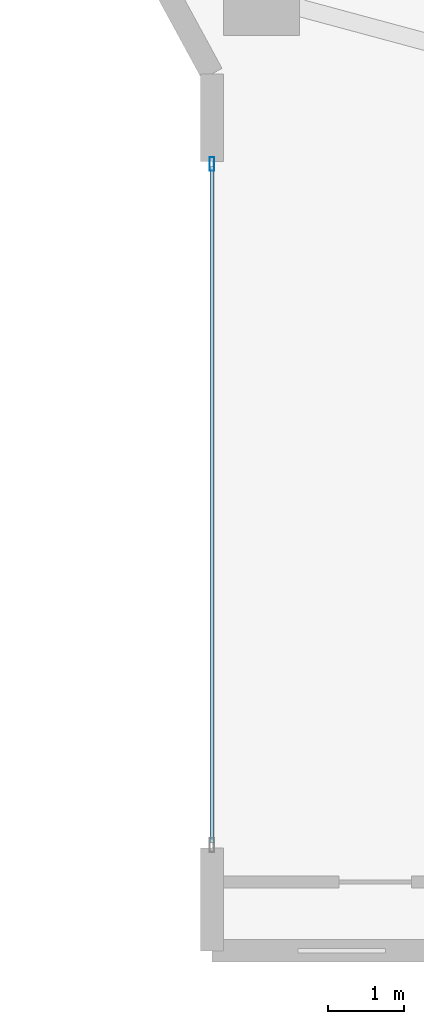
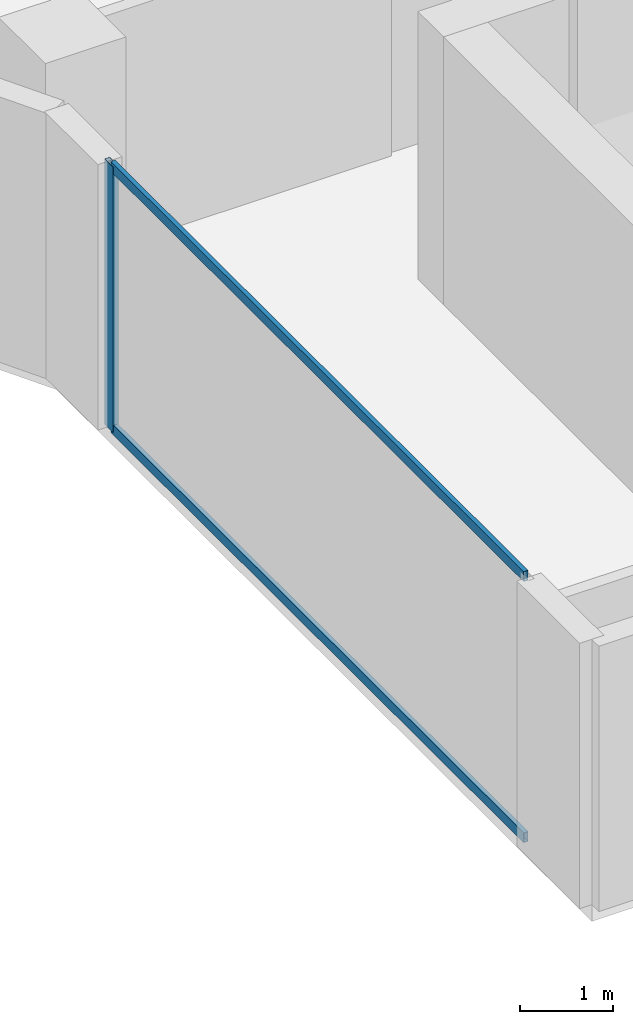
# One storey, part 3 of 26: 3 members, 1 element without a shape of its own.
"""IFC4 building model written with IfcOpenShell, lengths in metres."""

from ifc_helpers import new_model, si_unit, direction, frame, origin, origin_2d, place, context, subcontext, project, spatial, hollow_rectangle, extrude, material, layer, layer_set, material_profile, profile_set, type_object, element, aggregate, save


model = new_model("IFC4")

# Units and contexts
model_context = context("Model", 3, precision=1e-05, world=origin(), true_north=direction((0.0, 1.0)))
body_context = subcontext(model_context, "Body", "Model", "MODEL_VIEW")
ifc_project = project(units=[si_unit("LENGTHUNIT", "METRE"), si_unit("AREAUNIT", "SQUARE_METRE"), si_unit("VOLUMEUNIT", "CUBIC_METRE"), si_unit("PLANEANGLEUNIT", "RADIAN"), si_unit("MASSUNIT", "GRAM", prefix="KILO")], contexts=[model_context])

# Site, building, storey
site_placement = place(None, origin())
site = spatial("IfcSite", under=ifc_project, at=site_placement, CompositionType="ELEMENT")
building_placement = place(site_placement, origin())
building = spatial("IfcBuilding", under=site, at=building_placement, Name="Zuhayl Quay Hotel", CompositionType="ELEMENT")
storey_placement = place(building_placement, frame((0.0, 0.0, 254.449951171875)))
storey = spatial("IfcBuildingStorey", under=building, at=storey_placement, Name="L64", CompositionType="ELEMENT", Elevation=254.449951171875)

# Curtain wall, members
ifc_material_1 = material(Name="Anodised Aluminium 6063-T6", Category="aluminium")
ifc_layer = layer(ifc_material_1, 0.169921875, Name="Anodised Aluminium 6063-T6", Category="aluminium")
ifc_layer_set = layer_set([ifc_layer], Name="Anodised Aluminium 6063-T6")
curtain_wall_type = type_object("IfcCurtainWallType", Name="CW_SYS_Z4", PredefinedType="USERDEFINED", material=ifc_layer_set)
curtain_wall_placement = place(storey_placement, origin())
curtain_wall = element("IfcCurtainWall", 1, at=curtain_wall_placement, inside=storey, type_object=curtain_wall_type, Name="L64 Curtain Wall ENV_L64_E02_CW1", ObjectType="UNITISED CURTAIN WALL", PredefinedType="USERDEFINED")
ifc_material_2 = material(Name="Black-anodised aluminium 6063-T6", Category="aluminium")
ifc_material_profile_1 = material_profile(ifc_material_2, hollow_rectangle(XDim=0.06494140625, YDim=0.179931640625, WallThickness=0.00341796875, at=origin_2d()), Name="ALU180X65")
ifc_profile_set_1 = profile_set([ifc_material_profile_1], Name="Black-anodised aluminium 6063-T6")
member_type_1 = type_object("IfcMemberType", Name="MB_CW_MUL_180", PredefinedType="MULLION", material=ifc_profile_set_1)
member_1_placement = place(storey_placement, frame((-20.199951171875, 13.717529296875, 0.0), z_axis=(0.0, 0.0, 1.0), x_axis=(-1.0, 0.0, 0.0)))
member_1 = element("IfcMember", 2, at=member_1_placement, type_object=member_type_1, Name="CW-Z4 mullion 2", PredefinedType="MULLION", context=body_context, shape_type="SweptSolid", body=[
    extrude(hollow_rectangle(XDim=0.06494140625, YDim=0.179931640625, WallThickness=0.00341796875, at=origin_2d()), origin(), (0.0, 0.0, 1.0), 3.47998046875),
])
ifc_material_profile_2 = material_profile(ifc_material_2, hollow_rectangle(XDim=0.054931640625, YDim=0.1298828125, WallThickness=0.0029296875, at=origin_2d()), Name="ALU130X55")
ifc_profile_set_2 = profile_set([ifc_material_profile_2], Name="Black-anodised aluminium 6063-T6")
member_type_2 = type_object("IfcMemberType", Name="MB_CW_TRN_130", PredefinedType="USERDEFINED", material=ifc_profile_set_2)
member_2_placement = place(storey_placement, frame((-20.199951171875, 4.81494140625, 0.027587890625), z_axis=(0.0, 1.0, 0.0), x_axis=(-1.0, 0.0, 0.0)))
member_2 = element("IfcMember", 3, at=member_2_placement, type_object=member_type_2, Name="CW-Z4 transom 1.1", ObjectType="TRANSOM", PredefinedType="USERDEFINED", context=body_context, shape_type="SweptSolid", body=[
    extrude(hollow_rectangle(XDim=0.054931640625, YDim=0.1298828125, WallThickness=0.0029296875, at=origin_2d()), origin(), (0.0, 0.0, 1.0), 8.8701171875),
])
member_3_placement = place(storey_placement, frame((-20.199951171875, 4.81494140625, 3.45263671875), z_axis=(0.0, 1.0, 0.0), x_axis=(-1.0, 0.0, 0.0)))
member_3 = element("IfcMember", 4, at=member_3_placement, type_object=member_type_2, Name="CW-Z4 transom 1.2", ObjectType="TRANSOM", PredefinedType="USERDEFINED", context=body_context, shape_type="SweptSolid", body=[
    extrude(hollow_rectangle(XDim=0.054931640625, YDim=0.1298828125, WallThickness=0.0029296875, at=origin_2d()), origin(), (0.0, 0.0, 1.0), 8.8701171875),
])
aggregate(curtain_wall, [member_1, member_2, member_3])

save(model, "model.ifc")
